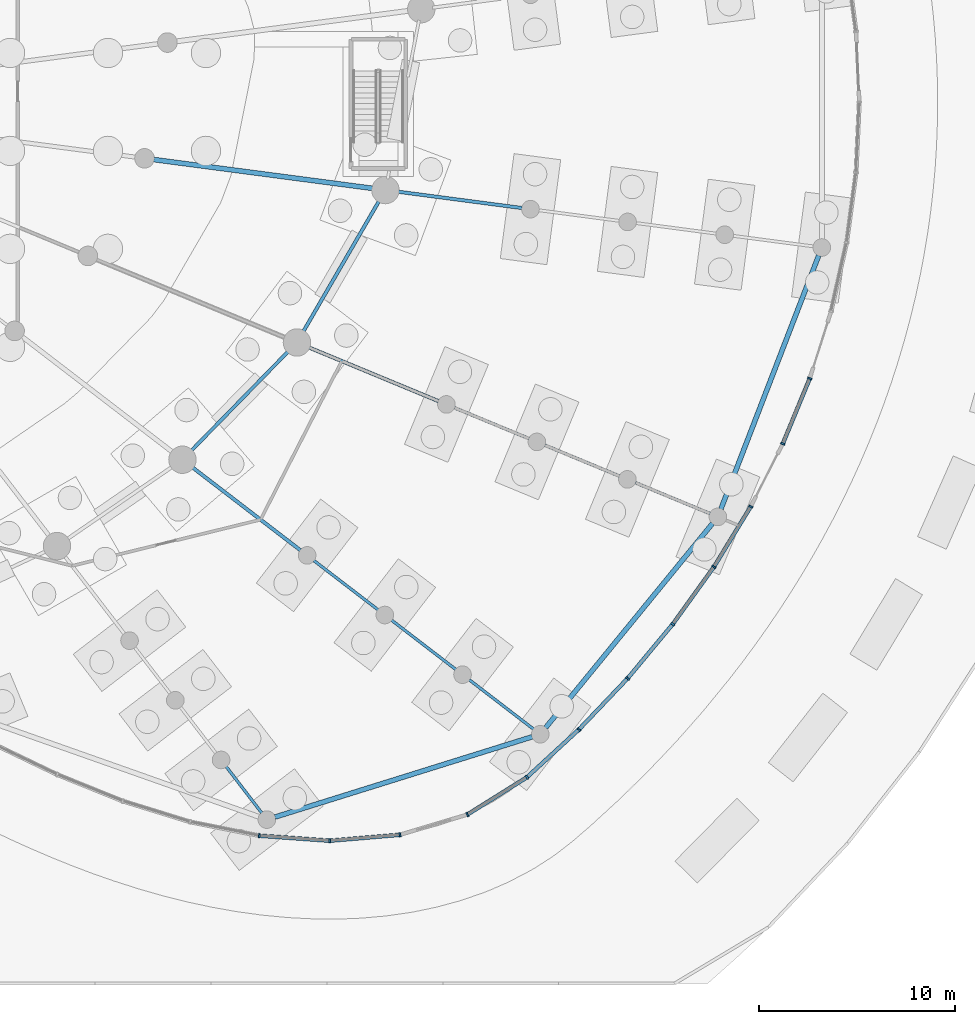
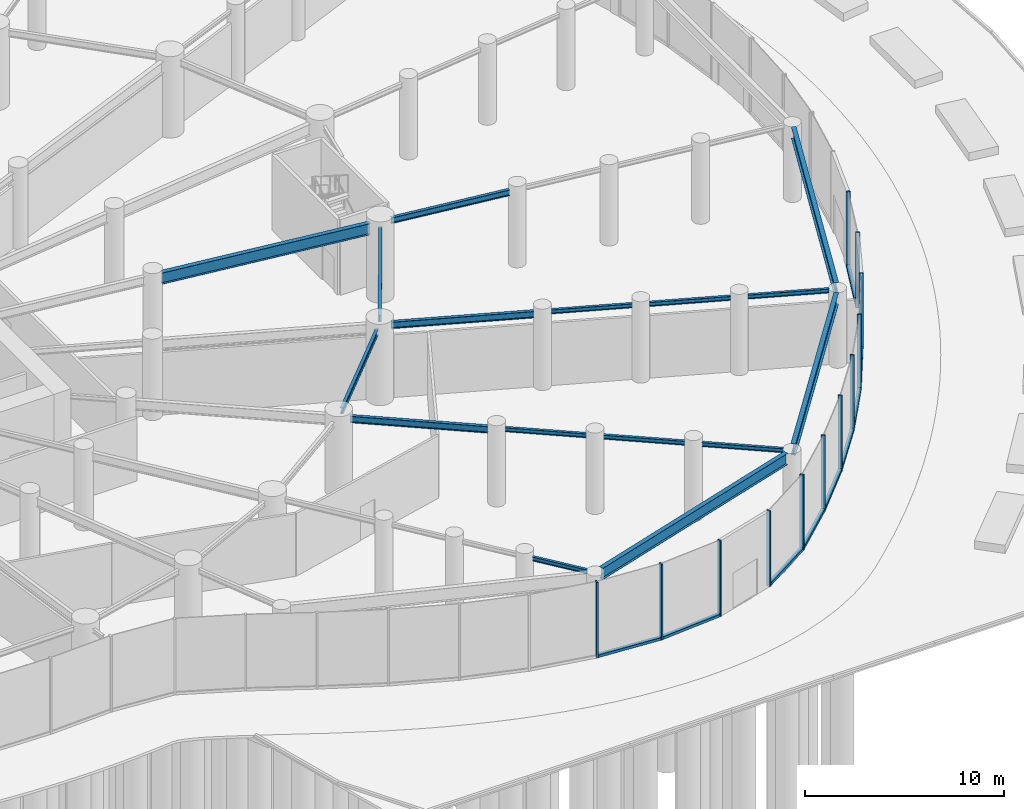
# One storey, part 9 of 28: 21 members, 16 beams, 3 elements without a shape of their own.
"""IFC4 building model written with IfcOpenShell, lengths in metres."""

import ifcopenshell
import ifcopenshell.guid

model = None  # the IFC model being written
_history = None  # IfcOwnerHistory: only IFC2X3 demands one
_inside = {}  # id of a spatial element -> (the spatial element, [elements in it])
_under = {}  # id of a project, library or spatial element -> (it, [spatial elements below it])
_declared = {}  # id of a project -> (the project, [libraries it declares])
_typed = {}  # id of a type object -> (the type object, [elements of that type])
_made_of = {}  # id of a material, layer set ... -> (it, [elements and type objects made of it])


def new_model(schema):
    """Start an empty IFC model of exactly this schema.

    Asked for "IFC4X3", IfcOpenShell would pick the latest addendum, in which some entities
    have other attributes; the version numbers below select the first issue.
    IFC2X3 requires an IfcOwnerHistory on every rooted entity: one is made here for all.
    """
    global model, _history
    if schema == "IFC4X3":
        model = ifcopenshell.file(schema_version=(4, 3, 0, 0))
    else:
        model = ifcopenshell.file(schema=schema)
    _inside.clear()
    _under.clear()
    _declared.clear()
    _typed.clear()
    _made_of.clear()
    _history = None
    if model.schema == "IFC2X3":
        org = make("IfcOrganization", Name="unknown")
        user = make(
            "IfcPersonAndOrganization",
            ThePerson=make("IfcPerson", FamilyName="unknown"),
            TheOrganization=org,
        )
        app = make(
            "IfcApplication",
            ApplicationDeveloper=org,
            Version="unknown",
            ApplicationFullName="unknown",
            ApplicationIdentifier="unknown",
        )
        _history = make(
            "IfcOwnerHistory",
            OwningUser=user,
            OwningApplication=app,
            ChangeAction="ADDED",
            CreationDate=0,
        )
    return model


def make(cls, **values):
    """One entity of the class cls with the attributes given. An attribute that is None is left unset."""
    return model.create_entity(
        cls, **{name: value for name, value in values.items() if value is not None}
    )


def rooted(cls, **values):
    """An entity with a GlobalId (a new one), such as an element, a storey or a relation."""
    return make(cls, GlobalId=ifcopenshell.guid.new(), OwnerHistory=_history, **values)


def si_unit(unit_type, name, prefix=None):
    """IfcSIUnit, for example si_unit("LENGTHUNIT", "METRE", prefix="MILLI")."""
    return make("IfcSIUnit", UnitType=unit_type, Prefix=prefix, Name=name)


def assignment(units):
    """IfcUnitAssignment: the units of a project."""
    return None if units is None else make("IfcUnitAssignment", Units=units)


def point(xyz):
    """IfcCartesianPoint."""
    return None if xyz is None else make("IfcCartesianPoint", Coordinates=xyz)


def direction(xyz):
    """IfcDirection."""
    return None if xyz is None else make("IfcDirection", DirectionRatios=xyz)


def frame(location, z_axis=None, x_axis=None):
    """IfcAxis2Placement3D, a coordinate frame: its origin and axes. An axis left out is left unset."""
    return make(
        "IfcAxis2Placement3D",
        Location=point(location),
        Axis=direction(z_axis),
        RefDirection=direction(x_axis),
    )


def frame_2d(location, x_axis=None):
    """IfcAxis2Placement2D, a coordinate frame in the plane: its origin and x axis."""
    return make(
        "IfcAxis2Placement2D", Location=point(location), RefDirection=direction(x_axis)
    )


def origin():
    """The frame at (0, 0, 0) with its axes left unset."""
    return frame((0.0, 0.0, 0.0))


def origin_2d():
    """The frame at (0, 0) in the plane with its x axis left unset."""
    return frame_2d((0.0, 0.0))


def place(relative_to, where):
    """IfcLocalPlacement: puts the frame where relative to a parent placement (None: the world)."""
    return make(
        "IfcLocalPlacement", PlacementRelTo=relative_to, RelativePlacement=where
    )


def context(
    kind, dimensions, precision=None, world=None, true_north=None, identifier=None
):
    """IfcGeometricRepresentationContext, for example the 3D "Model" context."""
    return make(
        "IfcGeometricRepresentationContext",
        ContextIdentifier=identifier,
        ContextType=kind,
        CoordinateSpaceDimension=dimensions,
        Precision=precision,
        WorldCoordinateSystem=world,
        TrueNorth=true_north,
    )


def subcontext(parent, identifier, kind, view, scale=None):
    """IfcGeometricRepresentationSubContext, for example "Body" below "Model"."""
    return make(
        "IfcGeometricRepresentationSubContext",
        ContextIdentifier=identifier,
        ContextType=kind,
        ParentContext=parent,
        TargetScale=scale,
        TargetView=view,
    )


def project(units=None, contexts=None):
    """IfcProject with its units and contexts."""
    return rooted(
        "IfcProject",
        Name="project",
        RepresentationContexts=contexts,
        UnitsInContext=assignment(units),
    )


def spatial(cls, under=None, at=None, **own):
    """A site, building, storey or space (cls), placed at a placement, below another one or the project."""
    s = rooted(cls, ObjectPlacement=at, **own)
    if under is not None:
        _under.setdefault(under.id(), (under, []))[1].append(s)
    return s


def profile(cls, at=None, kind="AREA", **sizes):
    """A parametric profile (cls). Its sizes go by their IFC names, for example OverallWidth=200.0."""
    return make(cls, ProfileType=kind, Position=at, **sizes)


def rectangle(**sizes):
    """IfcRectangleProfileDef."""
    return profile("IfcRectangleProfileDef", **sizes)


def i_section(**sizes):
    """IfcIShapeProfileDef."""
    return profile("IfcIShapeProfileDef", **sizes)


def extrude(swept, where, along, depth):
    """IfcExtrudedAreaSolid: the profile swept, set in the frame where, extruded along a direction by depth."""
    return make(
        "IfcExtrudedAreaSolid",
        SweptArea=swept,
        Position=where,
        ExtrudedDirection=direction(along),
        Depth=depth,
    )


def shape(context_of_items, identifier, shape_type, items):
    """IfcShapeRepresentation: the items that make up one representation, for example the "Body"."""
    return make(
        "IfcShapeRepresentation",
        ContextOfItems=context_of_items,
        RepresentationIdentifier=identifier,
        RepresentationType=shape_type,
        Items=items,
    )


def source(mapping_origin, context_of_items, identifier, shape_type, items):
    """IfcRepresentationMap: a shape defined once, which mapped items show again and again."""
    return make(
        "IfcRepresentationMap",
        MappingOrigin=mapping_origin,
        MappedRepresentation=shape(context_of_items, identifier, shape_type, items),
    )


def transform(
    local_origin,
    x_axis=None,
    y_axis=None,
    z_axis=None,
    scale=None,
    scale2=None,
    scale3=None,
    uniform=True,
):
    """IfcCartesianTransformationOperator3D, or its non-uniform kind. x_axis, y_axis, z_axis: its Axis1, 2, 3."""
    if uniform:
        return make(
            "IfcCartesianTransformationOperator3D",
            Axis1=direction(x_axis),
            Axis2=direction(y_axis),
            LocalOrigin=point(local_origin),
            Scale=scale,
            Axis3=direction(z_axis),
        )
    return make(
        "IfcCartesianTransformationOperator3DnonUniform",
        Axis1=direction(x_axis),
        Axis2=direction(y_axis),
        LocalOrigin=point(local_origin),
        Scale=scale,
        Axis3=direction(z_axis),
        Scale2=scale2,
        Scale3=scale3,
    )


def mapped(mapping_source, mapping_target):
    """IfcMappedItem: shows the shape of a source again, moved by a transform."""
    return make(
        "IfcMappedItem", MappingSource=mapping_source, MappingTarget=mapping_target
    )


def material(Name=None, Category=None):
    """IfcMaterial."""
    return make("IfcMaterial", Name=Name, Category=Category)


def layer(
    of_material, thickness, ventilated=None, Name=None, Category=None, Priority=None
):
    """IfcMaterialLayer: one layer of a wall or slab, of a material (None: an air gap)."""
    return make(
        "IfcMaterialLayer",
        Material=of_material,
        LayerThickness=thickness,
        IsVentilated=ventilated,
        Name=Name,
        Category=Category,
        Priority=Priority,
    )


def layer_set(layers, Name=None):
    """IfcMaterialLayerSet."""
    return make("IfcMaterialLayerSet", MaterialLayers=layers, LayerSetName=Name)


def material_profile(
    of_material, cross_section, Name=None, Category=None, Priority=None
):
    """IfcMaterialProfile: a cross section and its material."""
    return make(
        "IfcMaterialProfile",
        Name=Name,
        Material=of_material,
        Profile=cross_section,
        Priority=Priority,
        Category=Category,
    )


def profile_set(profiles, Name=None, composite=None):
    """IfcMaterialProfileSet."""
    return make(
        "IfcMaterialProfileSet",
        Name=Name,
        MaterialProfiles=profiles,
        CompositeProfile=composite,
    )


def made_of(thing, what):
    """Note that an element or type object is made of a material, layer set ...; save() writes the relation."""
    if what is not None:
        _made_of.setdefault(what.id(), (what, []))[1].append(thing)
    return thing


def type_object(cls, material=None, **own):
    """A type object (cls), such as IfcWallType, which elements share."""
    return made_of(rooted(cls, **own), material)


def element(
    cls,
    number,
    at=None,
    inside=None,
    cuts=None,
    type_object=None,
    material=None,
    context=None,
    identifier="Body",
    shape_type=None,
    held_by="IfcProductDefinitionShape",
    body=None,
    shapes=None,
    **own,
):
    """One element of the class cls, such as IfcWall. Its Tag is "e" and its number.

    at: its placement. inside: the storey or other place that contains it. cuts: it is an
    opening in that element (IfcRelVoidsElement). A single representation is given by context,
    identifier, shape_type and body (its items); several are given by shapes. held_by: the class
    of the entity that holds the representations. save() writes the other relations.
    """
    e = rooted(cls, Tag="e%d" % number, ObjectPlacement=at, **own)
    if body is not None:
        shapes = [shape(context, identifier, shape_type, body)]
    if shapes is not None:
        e.Representation = make(held_by, Representations=shapes)
    if inside is not None:
        _inside.setdefault(inside.id(), (inside, []))[1].append(e)
    if cuts is not None:
        rooted(
            "IfcRelVoidsElement", RelatingBuildingElement=cuts, RelatedOpeningElement=e
        )
    if type_object is not None:
        _typed.setdefault(type_object.id(), (type_object, []))[1].append(e)
    return made_of(e, material)


def aggregate(whole, parts):
    """IfcRelAggregates: a whole, such as a stair, and the parts it consists of."""
    return rooted("IfcRelAggregates", RelatingObject=whole, RelatedObjects=parts)


def save(model, path):
    """Write the relations noted so far, then the file.

    IfcRelAggregates (storeys below a building ...), IfcRelContainedInSpatialStructure (elements
    in a storey), IfcRelDefinesByType, IfcRelAssociatesMaterial and IfcRelDeclares: one each for
    every whole, place, type object, material and project.
    """
    for whole, parts in _under.values():
        aggregate(whole, parts)
    for where, things in _inside.values():
        rooted(
            "IfcRelContainedInSpatialStructure",
            RelatedElements=things,
            RelatingStructure=where,
        )
    for kind, things in _typed.values():
        rooted("IfcRelDefinesByType", RelatedObjects=things, RelatingType=kind)
    for what, things in _made_of.values():
        rooted("IfcRelAssociatesMaterial", RelatedObjects=things, RelatingMaterial=what)
    for by, libraries in _declared.values():
        rooted("IfcRelDeclares", RelatingContext=by, RelatedDefinitions=libraries)
    model.write(path)


model = new_model("IFC4")

# Units and contexts
model_context = context("Model", 3, precision=1e-05, world=origin(), true_north=direction((0.0, 1.0)))
body_context = subcontext(model_context, "Body", "Model", "MODEL_VIEW")
ifc_project = project(units=[si_unit("LENGTHUNIT", "METRE"), si_unit("AREAUNIT", "SQUARE_METRE"), si_unit("VOLUMEUNIT", "CUBIC_METRE"), si_unit("PLANEANGLEUNIT", "RADIAN"), si_unit("MASSUNIT", "GRAM", prefix="KILO")], contexts=[model_context])

# Site, building, storey
site_placement = place(None, origin())
site = spatial("IfcSite", under=ifc_project, at=site_placement, CompositionType="ELEMENT")
building_placement = place(site_placement, origin())
building = spatial("IfcBuilding", under=site, at=building_placement, Name="Spindrift Exchange Tower", CompositionType="ELEMENT")
storey_placement = place(building_placement, origin())
storey = spatial("IfcBuildingStorey", under=building, at=storey_placement, Name="L00", CompositionType="ELEMENT", Elevation=0.0)

# Beams
ifc_material_1 = material(Name="Steel Grade 300", Category="steel")
ifc_material_profile_1 = material_profile(ifc_material_1, i_section(OverallWidth=0.14599609375, OverallDepth=0.251953125, WebThickness=0.006103515625, FlangeThickness=0.008544921875, FilletRadius=0.011962890625, at=origin_2d()), Name="250UB31.4")
ifc_profile_set_1 = profile_set([ifc_material_profile_1], Name="Steel Grade 300")
beam_type_1 = type_object("IfcBeamType", Name="Floor Beam 250UB31.4 Steel Grade 300", PredefinedType="BEAM", material=ifc_profile_set_1)
shared_shape_1 = source(origin(), body_context, "Body", "SweptSolid", [
    extrude(i_section(OverallWidth=0.14599609375, OverallDepth=0.251953125, WebThickness=0.006103515625, FlangeThickness=0.008544921875, FilletRadius=0.011962890625, at=origin_2d()), origin(), (0.0, 0.0, 1.0), 4.1396484375),
])
for number, where, z_axis, x_axis, name in (
    (1, (82.505859375, 24.592041015625, 4.52392578125), (0.793355694235, -0.608758361277, 0.0), (0.608758361277, 0.793355694235, 0.0), "L00 radial beam R22C2"),
    (2, (86.472412109375, 21.54833984375, 4.52392578125), (0.793355694235, -0.608758361277, 0.0), (0.608758361277, 0.793355694235, 0.0), "L00 radial beam R22C3"),
):
    element("IfcBeam", number, at=place(storey_placement, frame(where, z_axis=z_axis, x_axis=x_axis)), inside=storey, type_object=beam_type_1, Name=name, PredefinedType="BEAM", context=body_context, shape_type="MappedRepresentation", body=[
        mapped(shared_shape_1, transform((0.0, 0.0, 0.0), scale=1.0)),
    ])
shared_shape_2 = source(origin(), body_context, "Body", "SweptSolid", [
    extrude(i_section(OverallWidth=0.14599609375, OverallDepth=0.251953125, WebThickness=0.006103515625, FlangeThickness=0.008544921875, FilletRadius=0.011962890625, at=origin_2d()), origin(), (0.0, 0.0, 1.0), 4.139892578125),
])
for number, where, z_axis, x_axis, name in (
    (3, (90.43896484375, 18.504638671875, 4.52392578125), (0.793377548716, -0.608729878677, 0.0), (0.608729878677, 0.793377548716, 0.0), "L00 radial beam R22C4"),
    (4, (89.671875, 32.395751953125, 4.52392578125), (0.923880985108, -0.382679925467, 0.0), (0.382679925467, 0.923880985108, 0.0), "L00 radial beam R23C2"),
    (5, (94.291015625, 30.482421875, 4.52392578125), (0.923880985108, -0.382679925467, 0.0), (0.382679925467, 0.923880985108, 0.0), "L00 radial beam R23C3"),
    (6, (98.910400390625, 28.569091796875, 4.52392578125), (0.923880985108, -0.382679925467, 0.0), (0.382679925467, 0.923880985108, 0.0), "L00 radial beam R23C4"),
):
    element("IfcBeam", number, at=place(storey_placement, frame(where, z_axis=z_axis, x_axis=x_axis)), inside=storey, type_object=beam_type_1, Name=name, PredefinedType="BEAM", context=body_context, shape_type="MappedRepresentation", body=[
        mapped(shared_shape_2, transform((0.0, 0.0, 0.0), scale=1.0)),
    ])
shared_shape_3 = source(origin(), body_context, "Body", "SweptSolid", [
    extrude(i_section(OverallWidth=0.14599609375, OverallDepth=0.251953125, WebThickness=0.006103515625, FlangeThickness=0.008544921875, FilletRadius=0.011962890625, at=origin_2d()), origin(), (0.0, 0.0, 1.0), 2.978271484375),
])
beam_1_placement = place(storey_placement, frame((78.03466796875, 14.07080078125, 4.52392578125), z_axis=(0.608803188652, -0.793321295244, 0.0), x_axis=(0.793321295244, 0.608803188652, 0.0)))
element("IfcBeam", 7, at=beam_1_placement, inside=storey, type_object=beam_type_1, Name="L00 radial beam R21C4", PredefinedType="BEAM", context=body_context, shape_type="MappedRepresentation", body=[
    mapped(shared_shape_3, transform((0.0, 0.0, 0.0), scale=1.0)),
])
ifc_material_profile_2 = material_profile(ifc_material_1, i_section(OverallWidth=0.25, OverallDepth=0.699951171875, WebThickness=0.008056640625, FlangeThickness=0.011962890625, at=origin_2d()), Name="700WB115")
ifc_profile_set_2 = profile_set([ifc_material_profile_2], Name="Steel Grade 300")
beam_type_2 = type_object("IfcBeamType", Name="Floor Beam 700WB115 Steel Grade 300", PredefinedType="BEAM", material=ifc_profile_set_2)
shared_shape_4 = source(origin(), body_context, "Body", "SweptSolid", [
    extrude(i_section(OverallWidth=0.25, OverallDepth=0.699951171875, WebThickness=0.008056640625, FlangeThickness=0.011962890625, at=origin_2d()), origin(), (0.0, 0.0, 1.0), 11.34423828125),
])
beam_2_placement = place(storey_placement, frame((74.339111328125, 45.05908203125, 4.300048828125), z_axis=(0.991444770187, -0.130526884848, 0.0), x_axis=(0.130526884848, 0.991444770187, 0.0)))
element("IfcBeam", 8, at=beam_2_placement, inside=storey, type_object=beam_type_2, Name="L00 radial beam R24B", PredefinedType="BEAM", context=body_context, shape_type="MappedRepresentation", body=[
    mapped(shared_shape_4, transform((0.0, 0.0, 0.0), scale=1.0)),
])
ifc_material_profile_3 = material_profile(ifc_material_1, i_section(OverallWidth=0.177978515625, OverallDepth=0.406005859375, WebThickness=0.0078125, FlangeThickness=0.0126953125, FilletRadius=0.013916015625, at=origin_2d()), Name="410UB59.7")
ifc_profile_set_3 = profile_set([ifc_material_profile_3], Name="Steel Grade 300")
beam_type_3 = type_object("IfcBeamType", Name="Floor Beam 410UB59.7 Steel Grade 300", PredefinedType="BEAM", material=ifc_profile_set_3)
shared_shape_5 = source(origin(), body_context, "Body", "SweptSolid", [
    extrude(i_section(OverallWidth=0.177978515625, OverallDepth=0.406005859375, WebThickness=0.0078125, FlangeThickness=0.0126953125, FilletRadius=0.013916015625, at=origin_2d()), origin(), (0.0, 0.0, 1.0), 7.01171875),
])
beam_3_placement = place(storey_placement, frame((76.2607421875, 29.384033203125, 4.447021484375), z_axis=(0.79334569595, -0.608771391178, 0.0), x_axis=(0.608771391178, 0.79334569595, 0.0)))
element("IfcBeam", 9, at=beam_3_placement, inside=storey, type_object=beam_type_3, Name="L00 radial beam R22C1", PredefinedType="BEAM", context=body_context, shape_type="MappedRepresentation", body=[
    mapped(shared_shape_5, transform((0.0, 0.0, 0.0), scale=1.0)),
])
shared_shape_6 = source(origin(), body_context, "Body", "SweptSolid", [
    extrude(i_section(OverallWidth=0.177978515625, OverallDepth=0.406005859375, WebThickness=0.0078125, FlangeThickness=0.0126953125, FilletRadius=0.013916015625, at=origin_2d()), origin(), (0.0, 0.0, 1.0), 7.248779296875),
])
beam_4_placement = place(storey_placement, frame((82.180419921875, 35.498779296875, 4.447021484375), z_axis=(0.923883012274, -0.382675031368, 0.0), x_axis=(0.382675031368, 0.923883012274, 0.0)))
element("IfcBeam", 10, at=beam_4_placement, inside=storey, type_object=beam_type_3, Name="L00 radial beam R23C1", PredefinedType="BEAM", context=body_context, shape_type="MappedRepresentation", body=[
    mapped(shared_shape_6, transform((0.0, 0.0, 0.0), scale=1.0)),
])
ifc_material_profile_4 = material_profile(ifc_material_1, i_section(OverallWidth=0.172119140625, OverallDepth=0.35888671875, WebThickness=0.008056640625, FlangeThickness=0.012939453125, FilletRadius=0.013916015625, at=origin_2d()), Name="360UB56.7")
ifc_profile_set_4 = profile_set([ifc_material_profile_4], Name="Steel Grade 300")
beam_type_4 = type_object("IfcBeamType", Name="Floor Beam 360UB56.7 Steel Grade 300", PredefinedType="BEAM", material=ifc_profile_set_4)
shared_shape_7 = source(origin(), body_context, "Body", "SweptSolid", [
    extrude(i_section(OverallWidth=0.172119140625, OverallDepth=0.35888671875, WebThickness=0.008056640625, FlangeThickness=0.012939453125, FilletRadius=0.013916015625, at=origin_2d()), origin(), (0.0, 0.0, 1.0), 6.4580078125),
])
beam_5_placement = place(storey_placement, frame((86.736083984375, 43.427001953125, 4.470458984375), z_axis=(0.99144348369, -0.13053665634, 0.0), x_axis=(0.13053665634, 0.99144348369, 0.0)))
element("IfcBeam", 11, at=beam_5_placement, inside=storey, type_object=beam_type_4, Name="L00 radial beam R24C1", PredefinedType="BEAM", context=body_context, shape_type="MappedRepresentation", body=[
    mapped(shared_shape_7, transform((0.0, 0.0, 0.0), scale=1.0)),
])
ifc_material_profile_5 = material_profile(ifc_material_1, i_section(OverallWidth=0.172119140625, OverallDepth=0.35888671875, WebThickness=0.008056640625, FlangeThickness=0.012939453125, FilletRadius=0.013916015625, at=origin_2d()), Name="360UB56.7")
ifc_profile_set_5 = profile_set([ifc_material_profile_5], Name="Steel Grade 300")
beam_type_5 = type_object("IfcBeamType", Name="Edge Beam 360UB56.7 Steel Grade 300", PredefinedType="SPANDREL", material=ifc_profile_set_5)
shared_shape_8 = source(origin(), body_context, "Body", "SweptSolid", [
    extrude(i_section(OverallWidth=0.172119140625, OverallDepth=0.35888671875, WebThickness=0.008056640625, FlangeThickness=0.012939453125, FilletRadius=0.013916015625, at=origin_2d()), origin(), (0.0, 0.0, 1.0), 7.2041015625),
])
beam_6_placement = place(storey_placement, frame((76.205810546875, 30.152099609375, 4.470458984375), z_axis=(0.698703626006, 0.715411240481, 0.0), x_axis=(-0.715411240481, 0.698703626006, 0.0)))
element("IfcBeam", 12, at=beam_6_placement, inside=storey, type_object=beam_type_5, Name="L00 edge beam E22", PredefinedType="SPANDREL", context=body_context, shape_type="MappedRepresentation", body=[
    mapped(shared_shape_8, transform((0.0, 0.0, 0.0), scale=1.0)),
])
ifc_material_profile_6 = material_profile(ifc_material_1, i_section(OverallWidth=0.177978515625, OverallDepth=0.406005859375, WebThickness=0.0078125, FlangeThickness=0.0126953125, FilletRadius=0.013916015625, at=origin_2d()), Name="410UB59.7")
ifc_profile_set_6 = profile_set([ifc_material_profile_6], Name="Steel Grade 300")
beam_type_6 = type_object("IfcBeamType", Name="Edge Beam 410UB59.7 Steel Grade 300", PredefinedType="SPANDREL", material=ifc_profile_set_6)
shared_shape_9 = source(origin(), body_context, "Body", "SweptSolid", [
    extrude(i_section(OverallWidth=0.177978515625, OverallDepth=0.406005859375, WebThickness=0.0078125, FlangeThickness=0.0126953125, FilletRadius=0.013916015625, at=origin_2d()), origin(), (0.0, 0.0, 1.0), 7.837646484375),
])
beam_7_placement = place(storey_placement, frame((81.935791015625, 36.222412109375, 4.447021484375), z_axis=(0.50198145655, 0.864878382942, 0.0), x_axis=(-0.864878382942, 0.50198145655, 0.0)))
element("IfcBeam", 13, at=beam_7_placement, inside=storey, type_object=beam_type_6, Name="L00 edge beam E23", PredefinedType="SPANDREL", context=body_context, shape_type="MappedRepresentation", body=[
    mapped(shared_shape_9, transform((0.0, 0.0, 0.0), scale=1.0)),
])
ifc_material_profile_7 = material_profile(ifc_material_1, i_section(OverallWidth=0.25, OverallDepth=0.699951171875, WebThickness=0.008056640625, FlangeThickness=0.011962890625, at=origin_2d()), Name="700WB115")
ifc_profile_set_7 = profile_set([ifc_material_profile_7], Name="Steel Grade 300")
beam_type_7 = type_object("IfcBeamType", Name="Edge Beam 700WB115 Steel Grade 300", PredefinedType="SPANDREL", material=ifc_profile_set_7)
shared_shape_10 = source(origin(), body_context, "Body", "SweptSolid", [
    extrude(i_section(OverallWidth=0.25, OverallDepth=0.699951171875, WebThickness=0.008056640625, FlangeThickness=0.011962890625, at=origin_2d()), origin(), (0.0, 0.0, 1.0), 13.877197265625),
])
beam_8_placement = place(storey_placement, frame((103.287109375, 27.221435546875, 4.300048828125), z_axis=(0.359899634262, 0.932991025283, 0.0), x_axis=(-0.932991025283, 0.359899634262, 0.0)))
element("IfcBeam", 14, at=beam_8_placement, inside=storey, type_object=beam_type_7, Name="L00 cascade edge beam G23", PredefinedType="SPANDREL", context=body_context, shape_type="MappedRepresentation", body=[
    mapped(shared_shape_10, transform((0.0, 0.0, 0.0), scale=1.0)),
])
shared_shape_11 = source(origin(), body_context, "Body", "SweptSolid", [
    extrude(i_section(OverallWidth=0.25, OverallDepth=0.699951171875, WebThickness=0.008056640625, FlangeThickness=0.011962890625, at=origin_2d()), origin(), (0.0, 0.0, 1.0), 13.470703125),
])
beam_9_placement = place(storey_placement, frame((94.336669921875, 16.055908203125, 4.300048828125), z_axis=(0.632733333486, 0.774369762255, 0.0), x_axis=(-0.774369762255, 0.632733333486, 0.0)))
element("IfcBeam", 15, at=beam_9_placement, inside=storey, type_object=beam_type_7, Name="L00 cascade edge beam G22", PredefinedType="SPANDREL", context=body_context, shape_type="MappedRepresentation", body=[
    mapped(shared_shape_11, transform((0.0, 0.0, 0.0), scale=1.0)),
])
shared_shape_12 = source(origin(), body_context, "Body", "SweptSolid", [
    extrude(i_section(OverallWidth=0.25, OverallDepth=0.699951171875, WebThickness=0.008056640625, FlangeThickness=0.011962890625, at=origin_2d()), origin(), (0.0, 0.0, 1.0), 13.759033203125),
])
beam_10_placement = place(storey_placement, frame((80.52001953125, 11.4951171875, 4.300048828125), z_axis=(0.954578749488, 0.297958740476, 0.0), x_axis=(-0.297958740476, 0.954578749488, 0.0)))
element("IfcBeam", 16, at=beam_10_placement, inside=storey, type_object=beam_type_7, Name="L00 cascade edge beam G21", PredefinedType="SPANDREL", context=body_context, shape_type="MappedRepresentation", body=[
    mapped(shared_shape_12, transform((0.0, 0.0, 0.0), scale=1.0)),
])

# Curtain wall, members
ifc_material_2 = material(Name="Fritted laminated glass with bronze frame", Category="glass")
ifc_layer = layer(ifc_material_2, 0.219970703125)
ifc_layer_set = layer_set([ifc_layer], Name="PODIUM BRONZE GLAZED WALL")
curtain_wall_type = type_object("IfcCurtainWallType", Name="PODIUM BRONZE GLAZED WALL", PredefinedType="NOTDEFINED", material=ifc_layer_set)
curtain_wall_1_placement = place(storey_placement, origin())
curtain_wall_1 = element("IfcCurtainWall", 17, at=curtain_wall_1_placement, inside=storey, type_object=curtain_wall_type, Name="L00 Podium Bronze Glazed Wall run 11", PredefinedType="NOTDEFINED")
ifc_material_3 = material(Name="Bronze anodised aluminium", Category="aluminium")
ifc_material_profile_8 = material_profile(ifc_material_3, rectangle(XDim=0.090087890625, YDim=0.219970703125, at=origin_2d()), Name="PODIUM BRONZE GLAZED WALL MULLION 90X220")
ifc_profile_set_8 = profile_set([ifc_material_profile_8], Name="Bronze anodised aluminium")
member_type_1 = type_object("IfcMemberType", Name="PODIUM BRONZE GLAZED WALL MULLION 90X220", PredefinedType="MULLION", material=ifc_profile_set_8)
shared_shape_13 = source(origin(), body_context, "Body", "SweptSolid", [
    extrude(rectangle(XDim=0.090087890625, YDim=0.219970703125, at=origin_2d()), origin(), (0.0, 0.0, 1.0), 4.64990234375),
])
member_1_placement = place(storey_placement, frame((79.7236328125, 10.547607421875, 0.0), z_axis=(0.0, 0.0, 1.0), x_axis=(0.991024052213, -0.13368368612, 0.0)))
member_1 = element("IfcMember", 18, at=member_1_placement, type_object=member_type_1, Name="L00 mullion CW-P.62", PredefinedType="MULLION", context=body_context, shape_type="MappedRepresentation", body=[
    mapped(shared_shape_13, transform((0.0, 0.0, 0.0), scale=1.0)),
])
member_2_placement = place(storey_placement, frame((83.314697265625, 10.29052734375, 0.0), z_axis=(0.0, 0.0, 1.0), x_axis=(0.999980417515, 0.006258161517, 0.0)))
member_2 = element("IfcMember", 19, at=member_2_placement, type_object=member_type_1, Name="L00 mullion CW-P.63", PredefinedType="MULLION", context=body_context, shape_type="MappedRepresentation", body=[
    mapped(shared_shape_13, transform((0.0, 0.0, 0.0), scale=1.0)),
])
member_3_placement = place(storey_placement, frame((86.90087890625, 10.59228515625, 0.0), z_axis=(0.0, 0.0, 1.0), x_axis=(0.982441517053, 0.186570805784, 0.0)))
member_3 = element("IfcMember", 20, at=member_3_placement, type_object=member_type_1, Name="L00 mullion CW-P.64", PredefinedType="MULLION", context=body_context, shape_type="MappedRepresentation", body=[
    mapped(shared_shape_13, transform((0.0, 0.0, 0.0), scale=1.0)),
])
member_4_placement = place(storey_placement, frame((90.34423828125, 11.625, 0.0), z_axis=(0.0, 0.0, 1.0), x_axis=(0.910886532046, 0.412656910444, 0.0)))
member_4 = element("IfcMember", 21, at=member_4_placement, type_object=member_type_1, Name="L00 mullion CW-P.65", PredefinedType="MULLION", context=body_context, shape_type="MappedRepresentation", body=[
    mapped(shared_shape_13, transform((0.0, 0.0, 0.0), scale=1.0)),
])
member_5_placement = place(storey_placement, frame((93.385498046875, 13.529296875, 0.0), z_axis=(0.0, 0.0, 1.0), x_axis=(0.795303875978, 0.606210973881, 0.0)))
member_5 = element("IfcMember", 22, at=member_5_placement, type_object=member_type_1, Name="L00 mullion CW-P.66", PredefinedType="MULLION", context=body_context, shape_type="MappedRepresentation", body=[
    mapped(shared_shape_13, transform((0.0, 0.0, 0.0), scale=1.0)),
])

curtain_wall_2_placement = place(storey_placement, origin())
curtain_wall_2 = element("IfcCurtainWall", 23, at=curtain_wall_2_placement, inside=storey, type_object=curtain_wall_type, Name="L00 Podium Bronze Glazed Wall run 12", PredefinedType="NOTDEFINED")
member_6_placement = place(storey_placement, frame((96.03857421875, 15.967041015625, 0.0), z_axis=(0.0, 0.0, 1.0), x_axis=(0.713506262959, 0.700648851222, 0.0)))
member_6 = element("IfcMember", 24, at=member_6_placement, type_object=member_type_1, Name="L00 mullion CW-P.67", PredefinedType="MULLION", context=body_context, shape_type="MappedRepresentation", body=[
    mapped(shared_shape_13, transform((0.0, 0.0, 0.0), scale=1.0)),
])
member_7_placement = place(storey_placement, frame((98.524169921875, 18.5751953125, 0.0), z_axis=(0.0, 0.0, 1.0), x_axis=(0.665028310368, 0.746818148152, 0.0)))
member_7 = element("IfcMember", 25, at=member_7_placement, type_object=member_type_1, Name="L00 mullion CW-P.68", PredefinedType="MULLION", context=body_context, shape_type="MappedRepresentation", body=[
    mapped(shared_shape_13, transform((0.0, 0.0, 0.0), scale=1.0)),
])
member_8_placement = place(storey_placement, frame((100.82763671875, 21.34521484375, 0.0), z_axis=(0.0, 0.0, 1.0), x_axis=(0.611950864616, 0.790895782828, 0.0)))
member_8 = element("IfcMember", 26, at=member_8_placement, type_object=member_type_1, Name="L00 mullion CW-P.69", PredefinedType="MULLION", context=body_context, shape_type="MappedRepresentation", body=[
    mapped(shared_shape_13, transform((0.0, 0.0, 0.0), scale=1.0)),
])
member_9_placement = place(storey_placement, frame((102.930908203125, 24.2705078125, 0.0), z_axis=(0.0, 0.0, 1.0), x_axis=(0.55284264497, 0.833285671245, 0.0)))
member_9 = element("IfcMember", 27, at=member_9_placement, type_object=member_type_1, Name="L00 mullion CW-P.70", PredefinedType="MULLION", context=body_context, shape_type="MappedRepresentation", body=[
    mapped(shared_shape_13, transform((0.0, 0.0, 0.0), scale=1.0)),
])
member_10_placement = place(storey_placement, frame((104.808349609375, 27.34521484375, 0.0), z_axis=(0.0, 0.0, 1.0), x_axis=(0.488166225528, 0.872750672445, 0.0)))
member_10 = element("IfcMember", 28, at=member_10_placement, type_object=member_type_1, Name="L00 mullion CW-P.71", PredefinedType="MULLION", context=body_context, shape_type="MappedRepresentation", body=[
    mapped(shared_shape_13, transform((0.0, 0.0, 0.0), scale=1.0)),
])
member_11_placement = place(storey_placement, frame((106.44580078125, 30.55419921875, 0.0), z_axis=(0.0, 0.0, 1.0), x_axis=(0.418284811542, 0.908315923252, 0.0)))
member_11 = element("IfcMember", 29, at=member_11_placement, type_object=member_type_1, Name="L00 mullion CW-P.72", PredefinedType="MULLION", context=body_context, shape_type="MappedRepresentation", body=[
    mapped(shared_shape_13, transform((0.0, 0.0, 0.0), scale=1.0)),
])

# Curtain wall, member
curtain_wall_3_placement = place(storey_placement, origin())
curtain_wall_3 = element("IfcCurtainWall", 30, at=curtain_wall_3_placement, inside=storey, type_object=curtain_wall_type, Name="L00 Podium Bronze Glazed Wall run 13", PredefinedType="NOTDEFINED")
member_12_placement = place(storey_placement, frame((107.819580078125, 33.884521484375, 0.0), z_axis=(0.0, 0.0, 1.0), x_axis=(0.342432060921, 0.939542592783, 0.0)))
member_12 = element("IfcMember", 31, at=member_12_placement, type_object=member_type_1, Name="L00 mullion CW-P.73", PredefinedType="MULLION", context=body_context, shape_type="MappedRepresentation", body=[
    mapped(shared_shape_13, transform((0.0, 0.0, 0.0), scale=1.0)),
])
aggregate(curtain_wall_3, [member_12])

# Member
ifc_material_profile_9 = material_profile(ifc_material_3, rectangle(XDim=0.199951171875, YDim=0.159912109375, at=origin_2d()), Name="PODIUM BRONZE GLAZED WALL TRANSOM 200X160")
ifc_profile_set_9 = profile_set([ifc_material_profile_9], Name="Bronze anodised aluminium")
member_type_2 = type_object("IfcMemberType", Name="PODIUM BRONZE GLAZED WALL TRANSOM 200X160", PredefinedType="USERDEFINED", material=ifc_profile_set_9)
shared_shape_14 = source(origin(), body_context, "Body", "SweptSolid", [
    extrude(rectangle(XDim=0.199951171875, YDim=0.159912109375, at=origin_2d()), origin(), (0.0, 0.0, 1.0), 3.51220703125),
])
member_13_placement = place(storey_placement, frame((106.462890625, 30.595947265625, 0.080078125), z_axis=(0.381399976838, 0.924410113352, 0.0), x_axis=(-0.924410113352, 0.381399976838, 0.0)))
member_13 = element("IfcMember", 32, at=member_13_placement, type_object=member_type_2, Name="L00 transom CW-P.72", ObjectType="TRANSOM", PredefinedType="USERDEFINED", context=body_context, shape_type="MappedRepresentation", body=[
    mapped(shared_shape_14, transform((0.0, 0.0, 0.0), scale=1.0)),
])

shared_shape_15 = source(origin(), body_context, "Body", "SweptSolid", [
    extrude(rectangle(XDim=0.199951171875, YDim=0.159912109375, at=origin_2d()), origin(), (0.0, 0.0, 1.0), 3.5126953125),
])
member_14_placement = place(storey_placement, frame((98.552978515625, 18.60986328125, 0.080078125), z_axis=(0.639356830538, 0.768910165913, 0.0), x_axis=(-0.768910165913, 0.639356830538, 0.0)))
member_14 = element("IfcMember", 33, at=member_14_placement, type_object=member_type_2, Name="L00 transom CW-P.68", ObjectType="TRANSOM", PredefinedType="USERDEFINED", context=body_context, shape_type="MappedRepresentation", body=[
    mapped(shared_shape_15, transform((0.0, 0.0, 0.0), scale=1.0)),
])

member_15_placement = place(storey_placement, frame((100.85400390625, 21.3818359375, 0.080078125), z_axis=(0.583753476163, 0.811930957082, 0.0), x_axis=(-0.811930957082, 0.583753476163, 0.0)))
member_15 = element("IfcMember", 34, at=member_15_placement, type_object=member_type_2, Name="L00 transom CW-P.69", ObjectType="TRANSOM", PredefinedType="USERDEFINED", context=body_context, shape_type="MappedRepresentation", body=[
    mapped(shared_shape_15, transform((0.0, 0.0, 0.0), scale=1.0)),
])

member_16_placement = place(storey_placement, frame((102.954345703125, 24.308837890625, 0.080078125), z_axis=(0.521123859953, 0.853481061646, 0.0), x_axis=(-0.853481061646, 0.521123859953, 0.0)))
member_16 = element("IfcMember", 35, at=member_16_placement, type_object=member_type_2, Name="L00 transom CW-P.70", ObjectType="TRANSOM", PredefinedType="USERDEFINED", context=body_context, shape_type="MappedRepresentation", body=[
    mapped(shared_shape_15, transform((0.0, 0.0, 0.0), scale=1.0)),
])

shared_shape_16 = source(origin(), body_context, "Body", "SweptSolid", [
    extrude(rectangle(XDim=0.199951171875, YDim=0.159912109375, at=origin_2d()), origin(), (0.0, 0.0, 1.0), 3.512939453125),
])
member_17_placement = place(storey_placement, frame((96.069580078125, 15.999755859375, 0.080078125), z_axis=(0.689910232403, 0.723894931068, 0.0), x_axis=(-0.723894931068, 0.689910232403, 0.0)))
member_17 = element("IfcMember", 36, at=member_17_placement, type_object=member_type_2, Name="L00 transom CW-P.67", ObjectType="TRANSOM", PredefinedType="USERDEFINED", context=body_context, shape_type="MappedRepresentation", body=[
    mapped(shared_shape_16, transform((0.0, 0.0, 0.0), scale=1.0)),
])

aggregate(curtain_wall_2, [member_6, member_17, member_7, member_14, member_8, member_15, member_9, member_16, member_10, member_11, member_13])

shared_shape_17 = source(origin(), body_context, "Body", "SweptSolid", [
    extrude(rectangle(XDim=0.199951171875, YDim=0.159912109375, at=origin_2d()), origin(), (0.0, 0.0, 1.0), 3.51318359375),
])
member_18_placement = place(storey_placement, frame((93.418701171875, 13.5595703125, 0.080078125), z_axis=(0.73629102491, 0.676665003261, 0.0), x_axis=(-0.676665003261, 0.73629102491, 0.0)))
member_18 = element("IfcMember", 37, at=member_18_placement, type_object=member_type_2, Name="L00 transom CW-P.66", ObjectType="TRANSOM", PredefinedType="USERDEFINED", context=body_context, shape_type="MappedRepresentation", body=[
    mapped(shared_shape_17, transform((0.0, 0.0, 0.0), scale=1.0)),
])

shared_shape_18 = source(origin(), body_context, "Body", "SweptSolid", [
    extrude(rectangle(XDim=0.199951171875, YDim=0.159912109375, at=origin_2d()), origin(), (0.0, 0.0, 1.0), 3.498291015625),
])
member_19_placement = place(storey_placement, frame((90.38232421875, 11.64892578125, 0.080078125), z_axis=(0.847578524606, 0.530669995974, 0.0), x_axis=(-0.530669995974, 0.847578524606, 0.0)))
member_19 = element("IfcMember", 38, at=member_19_placement, type_object=member_type_2, Name="L00 transom CW-P.65", ObjectType="TRANSOM", PredefinedType="USERDEFINED", context=body_context, shape_type="MappedRepresentation", body=[
    mapped(shared_shape_18, transform((0.0, 0.0, 0.0), scale=1.0)),
])

shared_shape_19 = source(origin(), body_context, "Body", "SweptSolid", [
    extrude(rectangle(XDim=0.199951171875, YDim=0.159912109375, at=origin_2d()), origin(), (0.0, 0.0, 1.0), 3.5087890625),
])
member_20_placement = place(storey_placement, frame((83.359619140625, 10.294189453125, 0.080078125), z_axis=(0.996472918435, 0.083914973789, 0.0), x_axis=(-0.083914973789, 0.996472918435, 0.0)))
member_20 = element("IfcMember", 39, at=member_20_placement, type_object=member_type_2, Name="L00 transom CW-P.63", ObjectType="TRANSOM", PredefinedType="USERDEFINED", context=body_context, shape_type="MappedRepresentation", body=[
    mapped(shared_shape_19, transform((0.0, 0.0, 0.0), scale=1.0)),
])

shared_shape_20 = source(origin(), body_context, "Body", "SweptSolid", [
    extrude(rectangle(XDim=0.199951171875, YDim=0.159912109375, at=origin_2d()), origin(), (0.0, 0.0, 1.0), 3.510498046875),
])
member_21_placement = place(storey_placement, frame((79.7685546875, 10.54443359375, 0.080078125), z_axis=(0.997445974828, -0.071424976722, 0.0), x_axis=(0.071424976722, 0.997445974828, 0.0)))
member_21 = element("IfcMember", 40, at=member_21_placement, type_object=member_type_2, Name="L00 transom CW-P.62", ObjectType="TRANSOM", PredefinedType="USERDEFINED", context=body_context, shape_type="MappedRepresentation", body=[
    mapped(shared_shape_20, transform((0.0, 0.0, 0.0), scale=1.0)),
])

aggregate(curtain_wall_1, [member_1, member_21, member_2, member_20, member_3, member_4, member_19, member_5, member_18])

save(model, "model.ifc")
